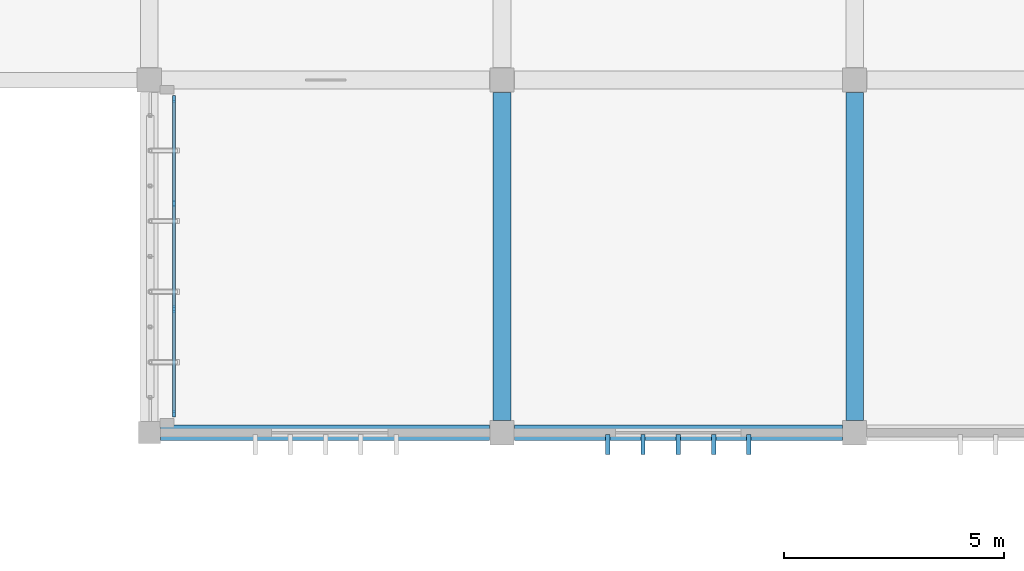
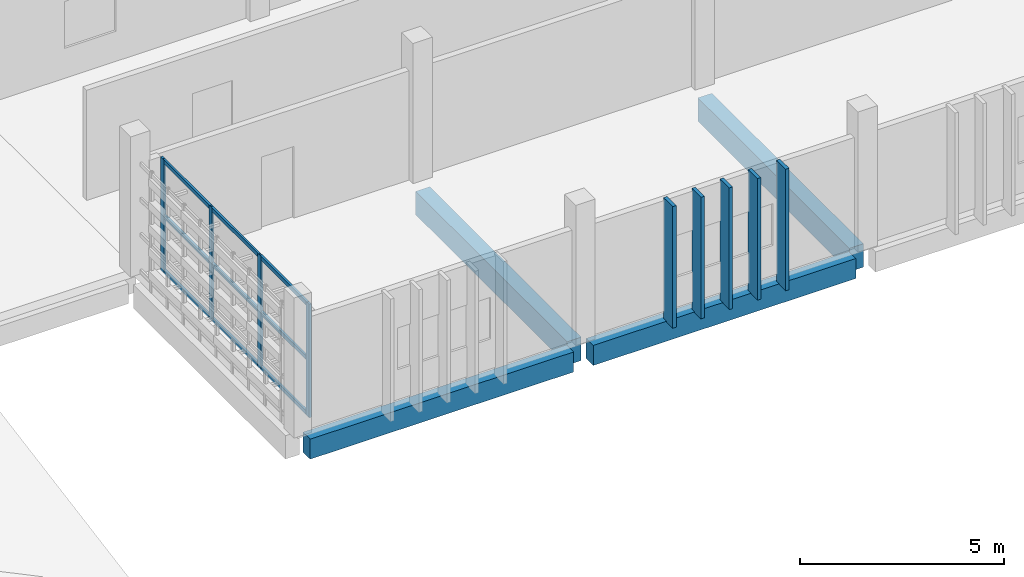
# One storey, part 13 of 83: 18 members, 4 beams, 1 element without a shape of its own.
"""IFC4 building model written with IfcOpenShell, lengths in metres."""

import ifcopenshell
import ifcopenshell.guid

model = None  # the IFC model being written
_history = None  # IfcOwnerHistory: only IFC2X3 demands one
_inside = {}  # id of a spatial element -> (the spatial element, [elements in it])
_under = {}  # id of a project, library or spatial element -> (it, [spatial elements below it])
_declared = {}  # id of a project -> (the project, [libraries it declares])
_typed = {}  # id of a type object -> (the type object, [elements of that type])
_made_of = {}  # id of a material, layer set ... -> (it, [elements and type objects made of it])


def new_model(schema):
    """Start an empty IFC model of exactly this schema.

    Asked for "IFC4X3", IfcOpenShell would pick the latest addendum, in which some entities
    have other attributes; the version numbers below select the first issue.
    IFC2X3 requires an IfcOwnerHistory on every rooted entity: one is made here for all.
    """
    global model, _history
    if schema == "IFC4X3":
        model = ifcopenshell.file(schema_version=(4, 3, 0, 0))
    else:
        model = ifcopenshell.file(schema=schema)
    _inside.clear()
    _under.clear()
    _declared.clear()
    _typed.clear()
    _made_of.clear()
    _history = None
    if model.schema == "IFC2X3":
        org = make("IfcOrganization", Name="unknown")
        user = make(
            "IfcPersonAndOrganization",
            ThePerson=make("IfcPerson", FamilyName="unknown"),
            TheOrganization=org,
        )
        app = make(
            "IfcApplication",
            ApplicationDeveloper=org,
            Version="unknown",
            ApplicationFullName="unknown",
            ApplicationIdentifier="unknown",
        )
        _history = make(
            "IfcOwnerHistory",
            OwningUser=user,
            OwningApplication=app,
            ChangeAction="ADDED",
            CreationDate=0,
        )
    return model


def make(cls, **values):
    """One entity of the class cls with the attributes given. An attribute that is None is left unset."""
    return model.create_entity(
        cls, **{name: value for name, value in values.items() if value is not None}
    )


def rooted(cls, **values):
    """An entity with a GlobalId (a new one), such as an element, a storey or a relation."""
    return make(cls, GlobalId=ifcopenshell.guid.new(), OwnerHistory=_history, **values)


def si_unit(unit_type, name, prefix=None):
    """IfcSIUnit, for example si_unit("LENGTHUNIT", "METRE", prefix="MILLI")."""
    return make("IfcSIUnit", UnitType=unit_type, Prefix=prefix, Name=name)


def assignment(units):
    """IfcUnitAssignment: the units of a project."""
    return None if units is None else make("IfcUnitAssignment", Units=units)


def point(xyz):
    """IfcCartesianPoint."""
    return None if xyz is None else make("IfcCartesianPoint", Coordinates=xyz)


def direction(xyz):
    """IfcDirection."""
    return None if xyz is None else make("IfcDirection", DirectionRatios=xyz)


def frame(location, z_axis=None, x_axis=None):
    """IfcAxis2Placement3D, a coordinate frame: its origin and axes. An axis left out is left unset."""
    return make(
        "IfcAxis2Placement3D",
        Location=point(location),
        Axis=direction(z_axis),
        RefDirection=direction(x_axis),
    )


def frame_2d(location, x_axis=None):
    """IfcAxis2Placement2D, a coordinate frame in the plane: its origin and x axis."""
    return make(
        "IfcAxis2Placement2D", Location=point(location), RefDirection=direction(x_axis)
    )


def origin():
    """The frame at (0, 0, 0) with its axes left unset."""
    return frame((0.0, 0.0, 0.0))


def origin_2d():
    """The frame at (0, 0) in the plane with its x axis left unset."""
    return frame_2d((0.0, 0.0))


def place(relative_to, where):
    """IfcLocalPlacement: puts the frame where relative to a parent placement (None: the world)."""
    return make(
        "IfcLocalPlacement", PlacementRelTo=relative_to, RelativePlacement=where
    )


def context(
    kind, dimensions, precision=None, world=None, true_north=None, identifier=None
):
    """IfcGeometricRepresentationContext, for example the 3D "Model" context."""
    return make(
        "IfcGeometricRepresentationContext",
        ContextIdentifier=identifier,
        ContextType=kind,
        CoordinateSpaceDimension=dimensions,
        Precision=precision,
        WorldCoordinateSystem=world,
        TrueNorth=true_north,
    )


def subcontext(parent, identifier, kind, view, scale=None):
    """IfcGeometricRepresentationSubContext, for example "Body" below "Model"."""
    return make(
        "IfcGeometricRepresentationSubContext",
        ContextIdentifier=identifier,
        ContextType=kind,
        ParentContext=parent,
        TargetScale=scale,
        TargetView=view,
    )


def project(units=None, contexts=None):
    """IfcProject with its units and contexts."""
    return rooted(
        "IfcProject",
        Name="project",
        RepresentationContexts=contexts,
        UnitsInContext=assignment(units),
    )


def spatial(cls, under=None, at=None, **own):
    """A site, building, storey or space (cls), placed at a placement, below another one or the project."""
    s = rooted(cls, ObjectPlacement=at, **own)
    if under is not None:
        _under.setdefault(under.id(), (under, []))[1].append(s)
    return s


def profile(cls, at=None, kind="AREA", **sizes):
    """A parametric profile (cls). Its sizes go by their IFC names, for example OverallWidth=200.0."""
    return make(cls, ProfileType=kind, Position=at, **sizes)


def rectangle(**sizes):
    """IfcRectangleProfileDef."""
    return profile("IfcRectangleProfileDef", **sizes)


def extrude(swept, where, along, depth):
    """IfcExtrudedAreaSolid: the profile swept, set in the frame where, extruded along a direction by depth."""
    return make(
        "IfcExtrudedAreaSolid",
        SweptArea=swept,
        Position=where,
        ExtrudedDirection=direction(along),
        Depth=depth,
    )


def shape(context_of_items, identifier, shape_type, items):
    """IfcShapeRepresentation: the items that make up one representation, for example the "Body"."""
    return make(
        "IfcShapeRepresentation",
        ContextOfItems=context_of_items,
        RepresentationIdentifier=identifier,
        RepresentationType=shape_type,
        Items=items,
    )


def material(Name=None, Category=None):
    """IfcMaterial."""
    return make("IfcMaterial", Name=Name, Category=Category)


def layer(
    of_material, thickness, ventilated=None, Name=None, Category=None, Priority=None
):
    """IfcMaterialLayer: one layer of a wall or slab, of a material (None: an air gap)."""
    return make(
        "IfcMaterialLayer",
        Material=of_material,
        LayerThickness=thickness,
        IsVentilated=ventilated,
        Name=Name,
        Category=Category,
        Priority=Priority,
    )


def layer_set(layers, Name=None):
    """IfcMaterialLayerSet."""
    return make("IfcMaterialLayerSet", MaterialLayers=layers, LayerSetName=Name)


def material_profile(
    of_material, cross_section, Name=None, Category=None, Priority=None
):
    """IfcMaterialProfile: a cross section and its material."""
    return make(
        "IfcMaterialProfile",
        Name=Name,
        Material=of_material,
        Profile=cross_section,
        Priority=Priority,
        Category=Category,
    )


def profile_set(profiles, Name=None, composite=None):
    """IfcMaterialProfileSet."""
    return make(
        "IfcMaterialProfileSet",
        Name=Name,
        MaterialProfiles=profiles,
        CompositeProfile=composite,
    )


def made_of(thing, what):
    """Note that an element or type object is made of a material, layer set ...; save() writes the relation."""
    if what is not None:
        _made_of.setdefault(what.id(), (what, []))[1].append(thing)
    return thing


def type_object(cls, material=None, **own):
    """A type object (cls), such as IfcWallType, which elements share."""
    return made_of(rooted(cls, **own), material)


def element(
    cls,
    number,
    at=None,
    inside=None,
    cuts=None,
    type_object=None,
    material=None,
    context=None,
    identifier="Body",
    shape_type=None,
    held_by="IfcProductDefinitionShape",
    body=None,
    shapes=None,
    **own,
):
    """One element of the class cls, such as IfcWall. Its Tag is "e" and its number.

    at: its placement. inside: the storey or other place that contains it. cuts: it is an
    opening in that element (IfcRelVoidsElement). A single representation is given by context,
    identifier, shape_type and body (its items); several are given by shapes. held_by: the class
    of the entity that holds the representations. save() writes the other relations.
    """
    e = rooted(cls, Tag="e%d" % number, ObjectPlacement=at, **own)
    if body is not None:
        shapes = [shape(context, identifier, shape_type, body)]
    if shapes is not None:
        e.Representation = make(held_by, Representations=shapes)
    if inside is not None:
        _inside.setdefault(inside.id(), (inside, []))[1].append(e)
    if cuts is not None:
        rooted(
            "IfcRelVoidsElement", RelatingBuildingElement=cuts, RelatedOpeningElement=e
        )
    if type_object is not None:
        _typed.setdefault(type_object.id(), (type_object, []))[1].append(e)
    return made_of(e, material)


def aggregate(whole, parts):
    """IfcRelAggregates: a whole, such as a stair, and the parts it consists of."""
    return rooted("IfcRelAggregates", RelatingObject=whole, RelatedObjects=parts)


def save(model, path):
    """Write the relations noted so far, then the file.

    IfcRelAggregates (storeys below a building ...), IfcRelContainedInSpatialStructure (elements
    in a storey), IfcRelDefinesByType, IfcRelAssociatesMaterial and IfcRelDeclares: one each for
    every whole, place, type object, material and project.
    """
    for whole, parts in _under.values():
        aggregate(whole, parts)
    for where, things in _inside.values():
        rooted(
            "IfcRelContainedInSpatialStructure",
            RelatedElements=things,
            RelatingStructure=where,
        )
    for kind, things in _typed.values():
        rooted("IfcRelDefinesByType", RelatedObjects=things, RelatingType=kind)
    for what, things in _made_of.values():
        rooted("IfcRelAssociatesMaterial", RelatedObjects=things, RelatingMaterial=what)
    for by, libraries in _declared.values():
        rooted("IfcRelDeclares", RelatingContext=by, RelatedDefinitions=libraries)
    model.write(path)


model = new_model("IFC4")

# Units and contexts
model_context = context("Model", 3, precision=1e-05, world=origin(), true_north=direction((0.0, 1.0)))
body_context = subcontext(model_context, "Body", "Model", "MODEL_VIEW")
ifc_project = project(units=[si_unit("LENGTHUNIT", "METRE"), si_unit("AREAUNIT", "SQUARE_METRE"), si_unit("VOLUMEUNIT", "CUBIC_METRE"), si_unit("PLANEANGLEUNIT", "RADIAN"), si_unit("MASSUNIT", "GRAM", prefix="KILO")], contexts=[model_context])

# Site, building, storey
site_placement = place(None, origin())
site = spatial("IfcSite", under=ifc_project, at=site_placement, CompositionType="ELEMENT")
building_placement = place(site_placement, origin())
building = spatial("IfcBuilding", under=site, at=building_placement, Name="Jelvoka-Kovrelna Polytechnic", CompositionType="ELEMENT")
storey_placement = place(building_placement, frame((0.0, 0.0, 13.800048828125)))
storey = spatial("IfcBuildingStorey", under=building, at=storey_placement, Name="L04", CompositionType="ELEMENT", Elevation=13.800048828125)

# Beams
ifc_material_1 = material(Name="Concrete C40/50", Category="concrete")
ifc_material_profile_1 = material_profile(ifc_material_1, rectangle(XDim=0.39990234375, YDim=0.699951171875, at=origin_2d()), Name="RC 400x700")
ifc_profile_set_1 = profile_set([ifc_material_profile_1], Name="Concrete C40/50")
beam_type_1 = type_object("IfcBeamType", Name="Beam_RC_400x700", PredefinedType="BEAM", material=ifc_profile_set_1)
for number, where, z_axis, x_axis, name in (
    (1, (64.0, 8.280029296875, -0.60009765625), (0.0, 1.0, 0.0), (-1.0, 0.0, 0.0), "L04 beam 1134"),
    (2, (72.0, 8.280029296875, -0.60009765625), (0.0, 1.0, 0.0), (-1.0, 0.0, 0.0), "L04 beam 1136"),
):
    element("IfcBeam", number, at=place(storey_placement, frame(where, z_axis=z_axis, x_axis=x_axis)), inside=storey, type_object=beam_type_1, Name=name, PredefinedType="BEAM", context=body_context, shape_type="SweptSolid", body=[
        extrude(rectangle(XDim=0.39990234375, YDim=0.699951171875, at=origin_2d()), origin(), (0.0, 0.0, 1.0), 7.43994140625),
    ])

# Members
ifc_material_2 = material(Name="Precast concrete C40/50", Category="concrete")
ifc_material_profile_2 = material_profile(ifc_material_2, rectangle(XDim=0.10009765625, YDim=0.449951171875, at=origin_2d()), Name="PC 100x450")
ifc_profile_set_2 = profile_set([ifc_material_profile_2], Name="Precast concrete C40/50")
member_type_1 = type_object("IfcMemberType", Name="Louvre_Fin_100x450", PredefinedType="USERDEFINED", material=ifc_profile_set_2)
for number, where, z_axis, x_axis, name in (
    (3, (66.39990234375, 7.735107421875, -0.27001953125), (0.0, 0.0, 1.0), (1.0, 0.0, 0.0), "L04 B1 south vertical solar louvre fin 0346"),
    (4, (67.199951171875, 7.735107421875, -0.27001953125), (0.0, 0.0, 1.0), (1.0, 0.0, 0.0), "L04 B1 south vertical solar louvre fin 0347"),
    (5, (68.0, 7.735107421875, -0.27001953125), (0.0, 0.0, 1.0), (1.0, 0.0, 0.0), "L04 B1 south vertical solar louvre fin 0348"),
    (6, (68.800048828125, 7.735107421875, -0.27001953125), (0.0, 0.0, 1.0), (1.0, 0.0, 0.0), "L04 B1 south vertical solar louvre fin 0349"),
    (7, (69.60009765625, 7.735107421875, -0.27001953125), (0.0, 0.0, 1.0), (1.0, 0.0, 0.0), "L04 B1 south vertical solar louvre fin 0350"),
):
    element("IfcMember", number, at=place(storey_placement, frame(where, z_axis=z_axis, x_axis=x_axis)), inside=storey, type_object=member_type_1, Name=name, ObjectType="SUNSHADE", PredefinedType="USERDEFINED", context=body_context, shape_type="SweptSolid", body=[
        extrude(rectangle(XDim=0.10009765625, YDim=0.449951171875, at=origin_2d()), origin(), (0.0, 0.0, 1.0), 3.64501953125),
    ])

# Curtain wall, members
ifc_material_3 = material(Name="Anodised aluminium 6063-T6", Category="aluminium")
ifc_layer = layer(ifc_material_3, 0.159912109375)
ifc_layer_set = layer_set([ifc_layer], Name="Anodised aluminium 6063-T6")
curtain_wall_type = type_object("IfcCurtainWallType", Name="CW_Recessed_A", PredefinedType="NOTDEFINED", material=ifc_layer_set)
curtain_wall_placement = place(storey_placement, origin())
curtain_wall = element("IfcCurtainWall", 8, at=curtain_wall_placement, inside=storey, type_object=curtain_wall_type, Name="L04 glazed curtain wall 004", PredefinedType="NOTDEFINED")
ifc_material_4 = material(Name="Anodised aluminium 6063-T6", Category="aluminium")
ifc_material_profile_3 = material_profile(ifc_material_4, rectangle(XDim=0.06005859375, YDim=0.159912109375, at=origin_2d()), Name="ALU 60x160")
ifc_profile_set_3 = profile_set([ifc_material_profile_3], Name="Anodised aluminium 6063-T6")
member_type_2 = type_object("IfcMemberType", Name="Mullion_M-01", PredefinedType="MULLION", material=ifc_profile_set_3)
member_1_placement = place(storey_placement, frame((56.56005859375, 8.429931640625, -0.02490234375), z_axis=(0.0, 0.0, 1.0), x_axis=(-1.0, 0.0, 0.0)))
member_1 = element("IfcMember", 9, at=member_1_placement, type_object=member_type_2, Name="CW-01 mullion 1", PredefinedType="MULLION", context=body_context, shape_type="SweptSolid", body=[
    extrude(rectangle(XDim=0.06005859375, YDim=0.159912109375, at=origin_2d()), origin(), (0.0, 0.0, 1.0), 3.39990234375),
])
member_2_placement = place(storey_placement, frame((56.56005859375, 10.800048828125, -0.02490234375), z_axis=(0.0, 0.0, 1.0), x_axis=(-1.0, 0.0, 0.0)))
member_2 = element("IfcMember", 10, at=member_2_placement, type_object=member_type_2, Name="CW-01 mullion 2", PredefinedType="MULLION", context=body_context, shape_type="SweptSolid", body=[
    extrude(rectangle(XDim=0.06005859375, YDim=0.159912109375, at=origin_2d()), origin(), (0.0, 0.0, 1.0), 3.39990234375),
])
member_3_placement = place(storey_placement, frame((56.56005859375, 13.199951171875, -0.02490234375), z_axis=(0.0, 0.0, 1.0), x_axis=(-1.0, 0.0, 0.0)))
member_3 = element("IfcMember", 11, at=member_3_placement, type_object=member_type_2, Name="CW-01 mullion 3", PredefinedType="MULLION", context=body_context, shape_type="SweptSolid", body=[
    extrude(rectangle(XDim=0.06005859375, YDim=0.159912109375, at=origin_2d()), origin(), (0.0, 0.0, 1.0), 3.39990234375),
])
member_4_placement = place(storey_placement, frame((56.56005859375, 15.570068359375, -0.02490234375), z_axis=(0.0, 0.0, 1.0), x_axis=(-1.0, 0.0, 0.0)))
member_4 = element("IfcMember", 12, at=member_4_placement, type_object=member_type_2, Name="CW-01 mullion 4", PredefinedType="MULLION", context=body_context, shape_type="SweptSolid", body=[
    extrude(rectangle(XDim=0.06005859375, YDim=0.159912109375, at=origin_2d()), origin(), (0.0, 0.0, 1.0), 3.39990234375),
])

# Beams
ifc_material_5 = material(Name="Concrete C40/50", Category="concrete")
ifc_material_profile_4 = material_profile(ifc_material_5, rectangle(XDim=0.35009765625, YDim=0.60009765625, at=origin_2d()), Name="RC 350x600")
ifc_profile_set_4 = profile_set([ifc_material_profile_4], Name="Concrete C40/50")
beam_type_2 = type_object("IfcBeamType", Name="Spandrel_RC_350x600", PredefinedType="SPANDREL", material=ifc_profile_set_4)
beam_1_placement = place(storey_placement, frame((56.2548828125, 8.0, -0.550048828125), z_axis=(1.0, 0.0, 0.0), x_axis=(0.0, 1.0, 0.0)))
element("IfcBeam", 13, at=beam_1_placement, inside=storey, type_object=beam_type_2, Name="L04 beam 1112", PredefinedType="SPANDREL", context=body_context, shape_type="SweptSolid", body=[
    extrude(rectangle(XDim=0.35009765625, YDim=0.60009765625, at=origin_2d()), origin(), (0.0, 0.0, 1.0), 7.465087890625),
])
beam_2_placement = place(storey_placement, frame((64.280029296875, 8.0, -0.550048828125), z_axis=(1.0, 0.0, 0.0), x_axis=(0.0, 1.0, 0.0)))
element("IfcBeam", 14, at=beam_2_placement, inside=storey, type_object=beam_type_2, Name="L04 beam 1113", PredefinedType="SPANDREL", context=body_context, shape_type="SweptSolid", body=[
    extrude(rectangle(XDim=0.35009765625, YDim=0.60009765625, at=origin_2d()), origin(), (0.0, 0.0, 1.0), 7.43994140625),
])

# Member
ifc_material_6 = material(Name="Anodised aluminium 6063-T6", Category="aluminium")
ifc_material_profile_5 = material_profile(ifc_material_6, rectangle(XDim=0.06005859375, YDim=0.1201171875, at=origin_2d()), Name="ALU 60x120")
ifc_profile_set_5 = profile_set([ifc_material_profile_5], Name="Anodised aluminium 6063-T6")
member_type_3 = type_object("IfcMemberType", Name="Transom_T-01", PredefinedType="USERDEFINED", material=ifc_profile_set_5)
member_5_placement = place(storey_placement, frame((56.56005859375, 8.4599609375, 0.030029296875), z_axis=(0.0, 1.0, 0.0), x_axis=(-1.0, 0.0, 0.0)))
member_5 = element("IfcMember", 15, at=member_5_placement, type_object=member_type_3, Name="CW-01 transom 1.1", ObjectType="TRANSOM", PredefinedType="USERDEFINED", context=body_context, shape_type="SweptSolid", body=[
    extrude(rectangle(XDim=0.06005859375, YDim=0.1201171875, at=origin_2d()), origin(), (0.0, 0.0, 1.0), 2.31005859375),
])

member_6_placement = place(storey_placement, frame((56.56005859375, 8.4599609375, 1.675048828125), z_axis=(0.0, 1.0, 0.0), x_axis=(-1.0, 0.0, 0.0)))
member_6 = element("IfcMember", 16, at=member_6_placement, type_object=member_type_3, Name="CW-01 transom 1.2", ObjectType="TRANSOM", PredefinedType="USERDEFINED", context=body_context, shape_type="SweptSolid", body=[
    extrude(rectangle(XDim=0.06005859375, YDim=0.1201171875, at=origin_2d()), origin(), (0.0, 0.0, 1.0), 2.31005859375),
])

member_7_placement = place(storey_placement, frame((56.56005859375, 8.4599609375, 3.320068359375), z_axis=(0.0, 1.0, 0.0), x_axis=(-1.0, 0.0, 0.0)))
member_7 = element("IfcMember", 17, at=member_7_placement, type_object=member_type_3, Name="CW-01 transom 1.3", ObjectType="TRANSOM", PredefinedType="USERDEFINED", context=body_context, shape_type="SweptSolid", body=[
    extrude(rectangle(XDim=0.06005859375, YDim=0.1201171875, at=origin_2d()), origin(), (0.0, 0.0, 1.0), 2.31005859375),
])

member_8_placement = place(storey_placement, frame((56.56005859375, 10.830078125, 0.030029296875), z_axis=(0.0, 1.0, 0.0), x_axis=(-1.0, 0.0, 0.0)))
member_8 = element("IfcMember", 18, at=member_8_placement, type_object=member_type_3, Name="CW-01 transom 2.1", ObjectType="TRANSOM", PredefinedType="USERDEFINED", context=body_context, shape_type="SweptSolid", body=[
    extrude(rectangle(XDim=0.06005859375, YDim=0.1201171875, at=origin_2d()), origin(), (0.0, 0.0, 1.0), 2.33984375),
])

member_9_placement = place(storey_placement, frame((56.56005859375, 10.830078125, 1.675048828125), z_axis=(0.0, 1.0, 0.0), x_axis=(-1.0, 0.0, 0.0)))
member_9 = element("IfcMember", 19, at=member_9_placement, type_object=member_type_3, Name="CW-01 transom 2.2", ObjectType="TRANSOM", PredefinedType="USERDEFINED", context=body_context, shape_type="SweptSolid", body=[
    extrude(rectangle(XDim=0.06005859375, YDim=0.1201171875, at=origin_2d()), origin(), (0.0, 0.0, 1.0), 2.33984375),
])

member_10_placement = place(storey_placement, frame((56.56005859375, 10.830078125, 3.320068359375), z_axis=(0.0, 1.0, 0.0), x_axis=(-1.0, 0.0, 0.0)))
member_10 = element("IfcMember", 20, at=member_10_placement, type_object=member_type_3, Name="CW-01 transom 2.3", ObjectType="TRANSOM", PredefinedType="USERDEFINED", context=body_context, shape_type="SweptSolid", body=[
    extrude(rectangle(XDim=0.06005859375, YDim=0.1201171875, at=origin_2d()), origin(), (0.0, 0.0, 1.0), 2.33984375),
])

member_11_placement = place(storey_placement, frame((56.56005859375, 13.22998046875, 0.030029296875), z_axis=(0.0, 1.0, 0.0), x_axis=(-1.0, 0.0, 0.0)))
member_11 = element("IfcMember", 21, at=member_11_placement, type_object=member_type_3, Name="CW-01 transom 3.1", ObjectType="TRANSOM", PredefinedType="USERDEFINED", context=body_context, shape_type="SweptSolid", body=[
    extrude(rectangle(XDim=0.06005859375, YDim=0.1201171875, at=origin_2d()), origin(), (0.0, 0.0, 1.0), 2.31005859375),
])

member_12_placement = place(storey_placement, frame((56.56005859375, 13.22998046875, 1.675048828125), z_axis=(0.0, 1.0, 0.0), x_axis=(-1.0, 0.0, 0.0)))
member_12 = element("IfcMember", 22, at=member_12_placement, type_object=member_type_3, Name="CW-01 transom 3.2", ObjectType="TRANSOM", PredefinedType="USERDEFINED", context=body_context, shape_type="SweptSolid", body=[
    extrude(rectangle(XDim=0.06005859375, YDim=0.1201171875, at=origin_2d()), origin(), (0.0, 0.0, 1.0), 2.31005859375),
])

member_13_placement = place(storey_placement, frame((56.56005859375, 13.22998046875, 3.320068359375), z_axis=(0.0, 1.0, 0.0), x_axis=(-1.0, 0.0, 0.0)))
member_13 = element("IfcMember", 23, at=member_13_placement, type_object=member_type_3, Name="CW-01 transom 3.3", ObjectType="TRANSOM", PredefinedType="USERDEFINED", context=body_context, shape_type="SweptSolid", body=[
    extrude(rectangle(XDim=0.06005859375, YDim=0.1201171875, at=origin_2d()), origin(), (0.0, 0.0, 1.0), 2.31005859375),
])

aggregate(curtain_wall, [member_1, member_2, member_3, member_4, member_5, member_6, member_7, member_8, member_9, member_10, member_11, member_12, member_13])

save(model, "model.ifc")
